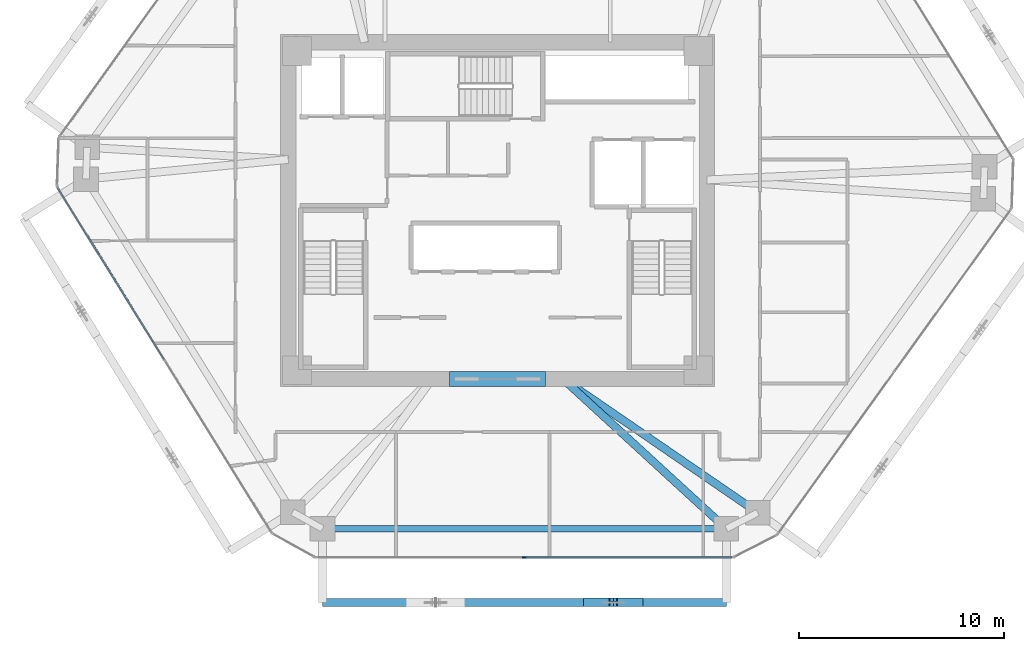
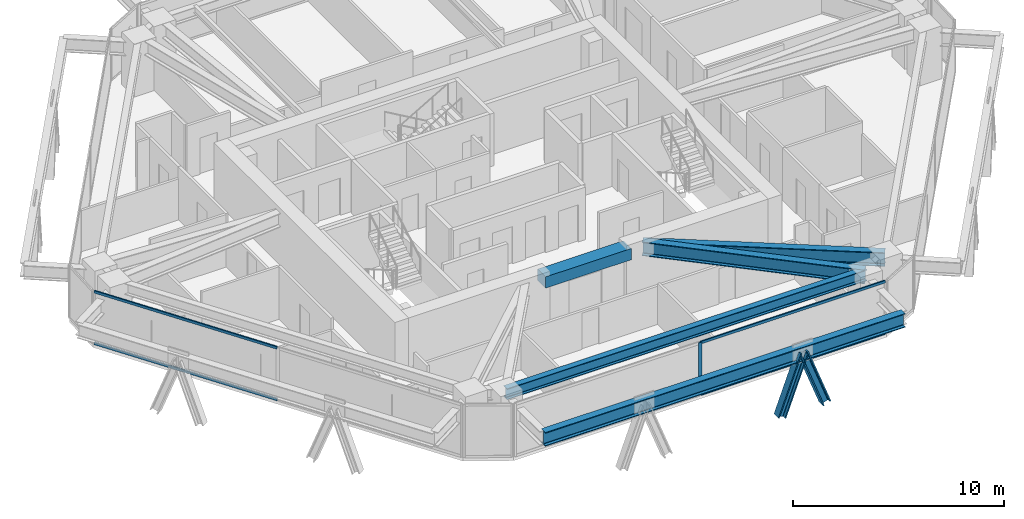
# One storey, part 3 of 16: 7 members, 5 beams, 2 elements without a shape of their own.
"""IFC4 building model written with IfcOpenShell, lengths in metres."""

from ifc_helpers import new_model, si_unit, direction, frame, origin, origin_2d, place, context, subcontext, project, spatial, rectangle, i_section, extrude, source, transform, mapped, material, layer, layer_set, material_profile, profile_set, type_object, type_shapes, element, aggregate, save


model = new_model("IFC4")

# Units and contexts
model_context = context("Model", 3, precision=1e-05, world=origin(), true_north=direction((0.0, 1.0)))
body_context = subcontext(model_context, "Body", "Model", "MODEL_VIEW")
ifc_project = project(units=[si_unit("LENGTHUNIT", "METRE"), si_unit("AREAUNIT", "SQUARE_METRE"), si_unit("VOLUMEUNIT", "CUBIC_METRE"), si_unit("PLANEANGLEUNIT", "RADIAN"), si_unit("MASSUNIT", "GRAM", prefix="KILO")], contexts=[model_context])

# Site, building, storey
site_placement = place(None, origin())
site = spatial("IfcSite", under=ifc_project, at=site_placement, CompositionType="ELEMENT")
building_placement = place(site_placement, origin())
building = spatial("IfcBuilding", under=site, at=building_placement, Name="Durnholm Broadcast Tower", CompositionType="ELEMENT")
storey_placement = place(building_placement, frame((0.0, 0.0, 130.5)))
storey = spatial("IfcBuildingStorey", under=building, at=storey_placement, Name="L35", CompositionType="ELEMENT", Elevation=130.5)

# Beams
ifc_material_1 = material(Name="Concrete C70/85", Category="concrete")
ifc_material_profile_1 = material_profile(ifc_material_1, rectangle(XDim=0.75, YDim=0.64990234375, at=origin_2d()), Name="RC750X650")
ifc_profile_set_1 = profile_set([ifc_material_profile_1], Name="Concrete C70/85")
beam_type_1 = type_object("IfcBeamType", Name="BM-CB-RC650", PredefinedType="LINTEL", material=ifc_profile_set_1)
shared_shape_1 = source(origin(), body_context, "Body", "SweptSolid", [
    extrude(rectangle(XDim=0.75, YDim=0.64990234375, at=origin_2d()), origin(), (0.0, 0.0, 1.0), 4.7001953125),
])
type_shapes(beam_type_1, [shared_shape_1])
beam_1_placement = place(storey_placement, frame((-2.35009765625, -8.22509765625, 2.72998046875), z_axis=(1.0, 0.0, 0.0), x_axis=(0.0, 1.0, 0.0)))
element("IfcBeam", 1, at=beam_1_placement, inside=storey, type_object=beam_type_1, Name="L35 south core coupling lintel beam CB-S", PredefinedType="LINTEL", context=body_context, shape_type="MappedRepresentation", body=[
    mapped(shared_shape_1, transform((0.0, 0.0, 0.0), x_axis=(1.0, 0.0, 0.0), y_axis=(0.0, 1.0, 0.0), z_axis=(0.0, 0.0, 1.0), scale=1.0)),
])
ifc_material_2 = material(Name="Steel ASTM A992 Grade 50", Category="steel")
ifc_material_profile_2 = material_profile(ifc_material_2, i_section(OverallWidth=0.3291015625, OverallDepth=0.635009765625, WebThickness=0.017822265625, FlangeThickness=0.031005859375, FilletRadius=0.02783203125, at=origin_2d()), Name="W24X162")
ifc_profile_set_2 = profile_set([ifc_material_profile_2], Name="Steel ASTM A992 Grade 50")
beam_type_2 = type_object("IfcBeamType", Name="STL-SP-W24X162", PredefinedType="SPANDREL", material=ifc_profile_set_2)
shared_shape_2 = source(origin(), body_context, "Body", "SweptSolid", [
    extrude(i_section(OverallWidth=0.3291015625, OverallDepth=0.635009765625, WebThickness=0.017822265625, FlangeThickness=0.031005859375, FilletRadius=0.02783203125, at=origin_2d()), origin(), (0.0, 0.0, 1.0), 19.72802734375),
])
type_shapes(beam_type_2, [shared_shape_2])
beam_2_placement = place(storey_placement, frame((11.176025390625, -15.537109375, 2.7275390625), z_axis=(-1.0, 0.0, 0.0), x_axis=(0.0, -1.0, 0.0)))
element("IfcBeam", 2, at=beam_2_placement, inside=storey, type_object=beam_type_2, Name="L35 perimeter spandrel girder 11", PredefinedType="SPANDREL", context=body_context, shape_type="MappedRepresentation", body=[
    mapped(shared_shape_2, transform((0.0, 0.0, 0.0), x_axis=(1.0, 0.0, 0.0), y_axis=(0.0, 1.0, 0.0), z_axis=(0.0, 0.0, 1.0), scale=1.0)),
])
ifc_material_profile_3 = material_profile(ifc_material_2, i_section(OverallWidth=0.385009765625, OverallDepth=0.802978515625, WebThickness=0.023681640625, FlangeThickness=0.0419921875, FilletRadius=0.032958984375, at=origin_2d()), Name="W30X261")
ifc_profile_set_3 = profile_set([ifc_material_profile_3], Name="Steel ASTM A992 Grade 50")
beam_type_3 = type_object("IfcBeamType", Name="STL-GR-W30X261", PredefinedType="USERDEFINED", material=ifc_profile_set_3)
shared_shape_3 = source(origin(), body_context, "Body", "SweptSolid", [
    extrude(i_section(OverallWidth=0.385009765625, OverallDepth=0.802978515625, WebThickness=0.023681640625, FlangeThickness=0.0419921875, FilletRadius=0.032958984375, at=origin_2d()), origin(), (0.0, 0.0, 1.0), 11.533447265625),
])
beam_3_placement = place(storey_placement, frame((3.199951171875, -8.22509765625, 2.6435546875), z_axis=(0.824567182461, -0.565764051181, 0.0), x_axis=(0.565764051181, 0.824567182461, 0.0)))
element("IfcBeam", 3, at=beam_3_placement, inside=storey, type_object=beam_type_3, Name="L35 radial primary floor girder 10", ObjectType="GIRDER", PredefinedType="USERDEFINED", context=body_context, shape_type="MappedRepresentation", body=[
    mapped(shared_shape_3, transform((0.0, 0.0, 0.0), x_axis=(1.0, 0.0, 0.0), y_axis=(0.0, 1.0, 0.0), z_axis=(0.0, 0.0, 1.0), scale=1.0)),
])
shared_shape_4 = source(origin(), body_context, "Body", "SweptSolid", [
    extrude(i_section(OverallWidth=0.385009765625, OverallDepth=0.802978515625, WebThickness=0.023681640625, FlangeThickness=0.0419921875, FilletRadius=0.032958984375, at=origin_2d()), origin(), (0.0, 0.0, 1.0), 10.820556640625),
])
type_shapes(beam_type_3, [shared_shape_3, shared_shape_4])
beam_4_placement = place(storey_placement, frame((3.199951171875, -8.22509765625, 2.6435546875), z_axis=(0.737126042516, -0.675755279258, 0.0), x_axis=(0.675755279258, 0.737126042516, 0.0)))
element("IfcBeam", 4, at=beam_4_placement, inside=storey, type_object=beam_type_3, Name="L35 radial primary floor girder 11", ObjectType="GIRDER", PredefinedType="USERDEFINED", context=body_context, shape_type="MappedRepresentation", body=[
    mapped(shared_shape_4, transform((0.0, 0.0, 0.0), x_axis=(1.0, 0.0, 0.0), y_axis=(0.0, 1.0, 0.0), z_axis=(0.0, 0.0, 1.0), scale=1.0)),
])
ifc_material_profile_4 = material_profile(ifc_material_2, i_section(OverallWidth=0.385009765625, OverallDepth=0.802978515625, WebThickness=0.023681640625, FlangeThickness=0.0419921875, FilletRadius=0.032958984375, at=origin_2d()), Name="W30X261")
ifc_profile_set_4 = profile_set([ifc_material_profile_4], Name="Steel ASTM A992 Grade 50")
beam_type_4 = type_object("IfcBeamType", Name="BM-EXO-TIE", PredefinedType="USERDEFINED", material=ifc_profile_set_4)
shared_shape_5 = source(origin(), body_context, "Body", "SweptSolid", [
    extrude(i_section(OverallWidth=0.385009765625, OverallDepth=0.802978515625, WebThickness=0.023681640625, FlangeThickness=0.0419921875, FilletRadius=0.032958984375, at=origin_2d()), origin(), (0.0, 0.0, 1.0), 19.72802734375),
])
type_shapes(beam_type_4, [shared_shape_5])
beam_5_placement = place(storey_placement, frame((-8.552001953125, -19.136962890625, 2.30859375), z_axis=(1.0, 0.0, 0.0), x_axis=(0.0, 1.0, 0.0)))
element("IfcBeam", 5, at=beam_5_placement, inside=storey, type_object=beam_type_4, Name="L35 exoskeleton collector spandrel F1", PredefinedType="SPANDREL", context=body_context, shape_type="MappedRepresentation", body=[
    mapped(shared_shape_5, transform((0.0, 0.0, 0.0), x_axis=(1.0, 0.0, 0.0), y_axis=(0.0, 1.0, 0.0), z_axis=(0.0, 0.0, 1.0), scale=1.0)),
])

# Members
ifc_material_3 = material(Name="Steel ASTM A913 Grade 65", Category="steel")
ifc_material_profile_5 = material_profile(ifc_material_3, i_section(OverallWidth=0.41845703125, OverallDepth=0.455078125, WebThickness=0.0419921875, FlangeThickness=0.067626953125, FilletRadius=0.030517578125, at=origin_2d()), Name="W14X370")
ifc_profile_set_5 = profile_set([ifc_material_profile_5], Name="Steel ASTM A913 Grade 65")
member_type_1 = type_object("IfcMemberType", Name="STL-DG-W14X370", PredefinedType="BRACE", material=ifc_profile_set_5)
shared_shape_6 = source(origin(), body_context, "Body", "SweptSolid", [
    extrude(i_section(OverallWidth=0.41845703125, OverallDepth=0.455078125, WebThickness=0.0419921875, FlangeThickness=0.067626953125, FilletRadius=0.030517578125, at=origin_2d()), origin(), (0.0, 0.0, 1.0), 3.523193359375),
])
type_shapes(member_type_1, [shared_shape_6])
for number, where, z_axis, x_axis, name in (
    (6, (4.41845703125, -19.136962890625, -0.991455078125), (0.350219588454, 0.0, 0.936667625075), (0.0, 1.0, 0.0), "L35 stand-off diagrid brace F1.D2.1"),
    (7, (6.885986328125, -19.136962890625, -0.991455078125), (-0.350158790071, 0.0, 0.936690355313), (0.0, -1.0, 0.0), "L35 stand-off diagrid brace F1.D2.2"),
):
    element("IfcMember", number, at=place(storey_placement, frame(where, z_axis=z_axis, x_axis=x_axis)), inside=storey, type_object=member_type_1, Name=name, PredefinedType="BRACE", context=body_context, shape_type="MappedRepresentation", body=[
        mapped(shared_shape_6, transform((0.0, 0.0, 0.0), x_axis=(1.0, 0.0, 0.0), y_axis=(0.0, 1.0, 0.0), z_axis=(0.0, 0.0, 1.0), scale=1.0)),
    ])

# Curtain wall, members
ifc_material_4 = material(Name="Aluminium and Solar Control IGU", Category="aluminium")
ifc_layer = layer(ifc_material_4, 0.18994140625)
ifc_layer_set = layer_set([ifc_layer], Name="Aluminium and Solar Control IGU")
curtain_wall_type = type_object("IfcCurtainWallType", Name="CW-SYS-3", PredefinedType="NOTDEFINED", material=ifc_layer_set)
curtain_wall_1_placement = place(storey_placement, origin())
curtain_wall_1 = element("IfcCurtainWall", 8, at=curtain_wall_1_placement, inside=storey, type_object=curtain_wall_type, Name="L35 curtain wall CW-Z12-VIS CW-L35-F10", PredefinedType="NOTDEFINED")
ifc_material_5 = material(Name="Aluminium 6063-T6", Category="aluminium")
ifc_material_profile_6 = material_profile(ifc_material_5, rectangle(XDim=0.070068359375, YDim=0.18994140625, at=origin_2d()), Name="CWM70X190")
ifc_profile_set_6 = profile_set([ifc_material_profile_6], Name="Aluminium 6063-T6")
member_type_2 = type_object("IfcMemberType", Name="CW-SYS-3-MUL", PredefinedType="MULLION", material=ifc_profile_set_6)
shared_shape_7 = source(origin(), body_context, "Body", "SweptSolid", [
    extrude(rectangle(XDim=0.070068359375, YDim=0.18994140625, at=origin_2d()), origin(), (0.0, 0.0, 1.0), 3.06005859375),
])
type_shapes(member_type_2, [shared_shape_7])
member_1_placement = place(storey_placement, frame((1.299560546875, -16.93701171875, 0.0), z_axis=(0.0, 0.0, 1.0), x_axis=(0.0, -1.0, 0.0)))
member_1 = element("IfcMember", 9, at=member_1_placement, type_object=member_type_2, Name="CW-Z12-VIS mullion 2", PredefinedType="MULLION", context=body_context, shape_type="MappedRepresentation", body=[
    mapped(shared_shape_7, transform((0.0, 0.0, 0.0), x_axis=(1.0, 0.0, 0.0), y_axis=(0.0, 1.0, 0.0), z_axis=(0.0, 0.0, 1.0), scale=1.0)),
])
ifc_material_profile_7 = material_profile(ifc_material_5, rectangle(XDim=0.070068359375, YDim=0.14990234375, at=origin_2d()), Name="CWT70X150")
ifc_profile_set_7 = profile_set([ifc_material_profile_7], Name="Aluminium 6063-T6")
member_type_3 = type_object("IfcMemberType", Name="CW-SYS-3-TRN", PredefinedType="USERDEFINED", material=ifc_profile_set_7)
shared_shape_8 = source(origin(), body_context, "Body", "SweptSolid", [
    extrude(rectangle(XDim=0.070068359375, YDim=0.14990234375, at=origin_2d()), origin(), (0.0, 0.0, 1.0), 10.109619140625),
])
member_2_placement = place(storey_placement, frame((11.444091796875, -16.93701171875, 0.034912109375), z_axis=(-1.0, 0.0, 0.0), x_axis=(0.0, -1.0, 0.0)))
member_2 = element("IfcMember", 10, at=member_2_placement, type_object=member_type_3, Name="CW-Z12-VIS transom 1.1", ObjectType="TRANSOM", PredefinedType="USERDEFINED", context=body_context, shape_type="MappedRepresentation", body=[
    mapped(shared_shape_8, transform((0.0, 0.0, 0.0), x_axis=(1.0, 0.0, 0.0), y_axis=(0.0, 1.0, 0.0), z_axis=(0.0, 0.0, 1.0), scale=1.0)),
])
member_3_placement = place(storey_placement, frame((11.444091796875, -16.93701171875, 3.02490234375), z_axis=(-1.0, 0.0, 0.0), x_axis=(0.0, -1.0, 0.0)))
member_3 = element("IfcMember", 11, at=member_3_placement, type_object=member_type_3, Name="CW-Z12-VIS transom 1.2", ObjectType="TRANSOM", PredefinedType="USERDEFINED", context=body_context, shape_type="MappedRepresentation", body=[
    mapped(shared_shape_8, transform((0.0, 0.0, 0.0), x_axis=(1.0, 0.0, 0.0), y_axis=(0.0, 1.0, 0.0), z_axis=(0.0, 0.0, 1.0), scale=1.0)),
])
aggregate(curtain_wall_1, [member_1, member_2, member_3])

curtain_wall_2_placement = place(storey_placement, origin())
curtain_wall_2 = element("IfcCurtainWall", 12, at=curtain_wall_2_placement, inside=storey, type_object=curtain_wall_type, Name="L35 curtain wall CW-Z12-VIS CW-L35-F12", PredefinedType="NOTDEFINED")
shared_shape_9 = source(origin(), body_context, "Body", "SweptSolid", [
    extrude(rectangle(XDim=0.070068359375, YDim=0.14990234375, at=origin_2d()), origin(), (0.0, 0.0, 1.0), 9.85888671875),
])
type_shapes(member_type_3, [shared_shape_8, shared_shape_9])
member_4_placement = place(storey_placement, frame((-16.28271484375, -7.27294921875, 0.034912109375), z_axis=(-0.527119964735, 0.849790881793, 0.0), x_axis=(-0.849790881793, -0.527119964735, 0.0)))
member_4 = element("IfcMember", 13, at=member_4_placement, type_object=member_type_3, Name="CW-Z12-VIS transom 2.1", ObjectType="TRANSOM", PredefinedType="USERDEFINED", context=body_context, shape_type="MappedRepresentation", body=[
    mapped(shared_shape_9, transform((0.0, 0.0, 0.0), x_axis=(1.0, 0.0, 0.0), y_axis=(0.0, 1.0, 0.0), z_axis=(0.0, 0.0, 1.0), scale=1.0)),
])
member_5_placement = place(storey_placement, frame((-16.28271484375, -7.27294921875, 3.02490234375), z_axis=(-0.527119964735, 0.849790881793, 0.0), x_axis=(-0.849790881793, -0.527119964735, 0.0)))
member_5 = element("IfcMember", 14, at=member_5_placement, type_object=member_type_3, Name="CW-Z12-VIS transom 2.2", ObjectType="TRANSOM", PredefinedType="USERDEFINED", context=body_context, shape_type="MappedRepresentation", body=[
    mapped(shared_shape_9, transform((0.0, 0.0, 0.0), x_axis=(1.0, 0.0, 0.0), y_axis=(0.0, 1.0, 0.0), z_axis=(0.0, 0.0, 1.0), scale=1.0)),
])
aggregate(curtain_wall_2, [member_4, member_5])

save(model, "model.ifc")
